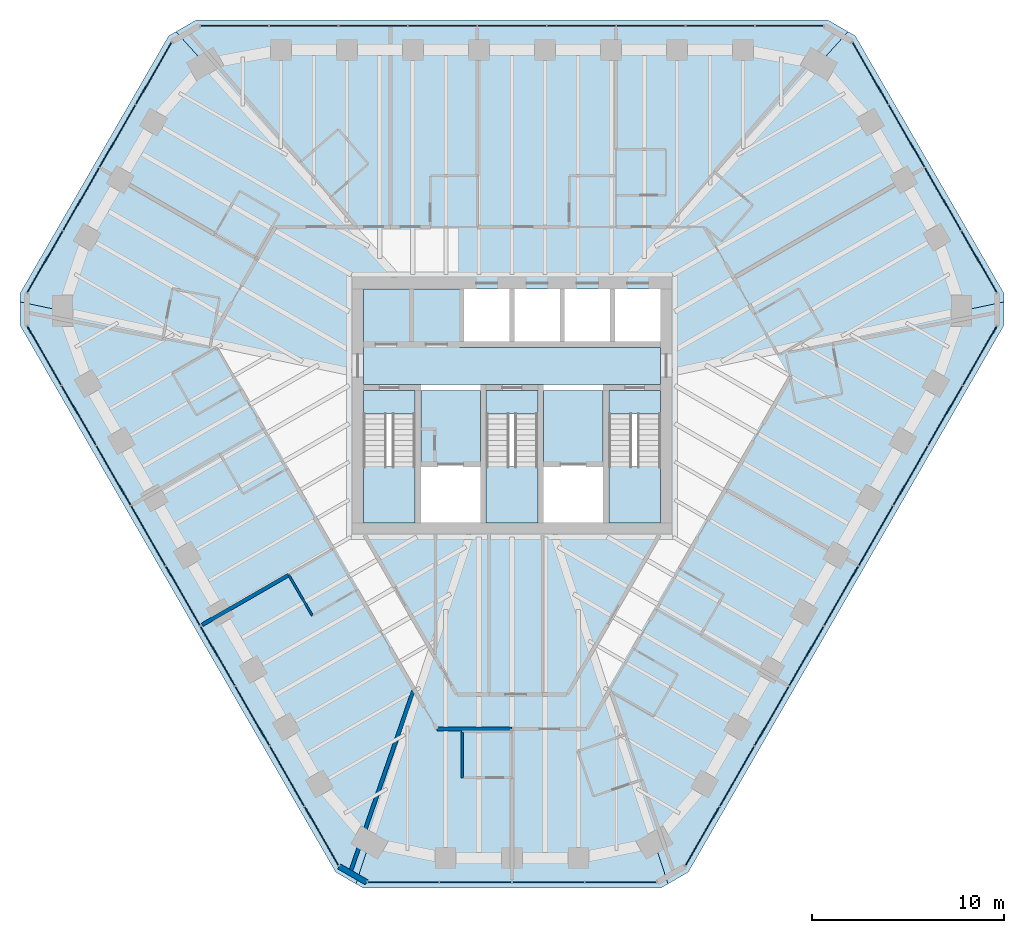
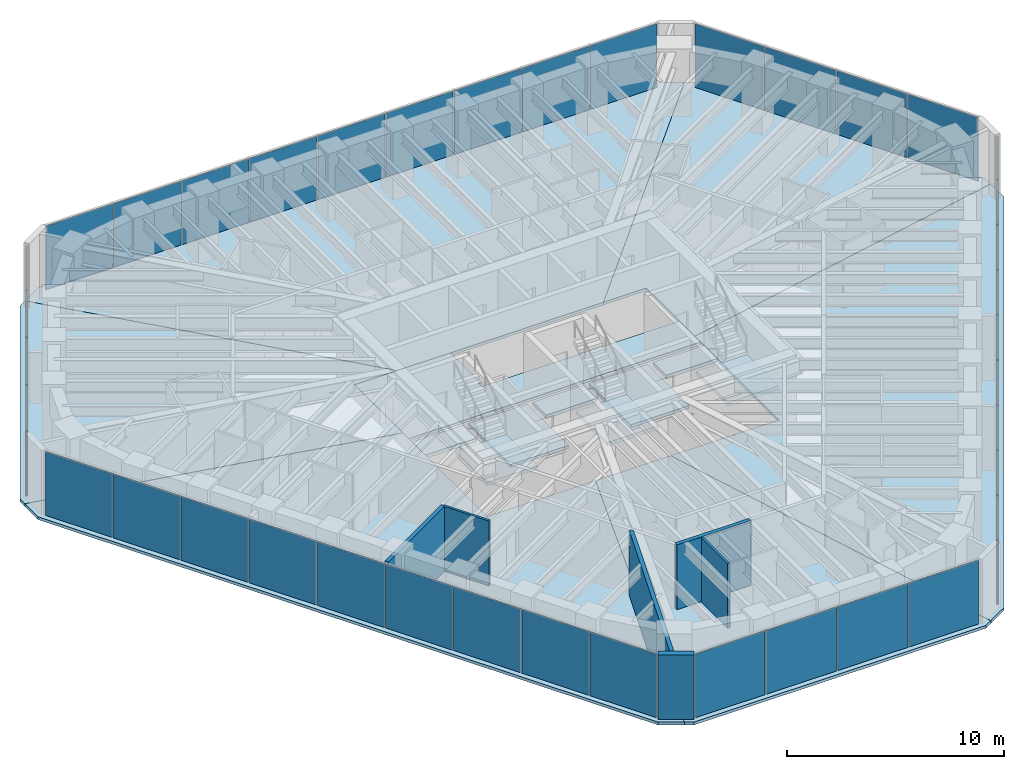
# One storey, part 8 of 14: 39 plates, 15 slabs, 6 walls, 9 elements without a shape of their own.
"""IFC4 building model written with IfcOpenShell, lengths in metres."""

from ifc_helpers import new_model, si_unit, direction, frame, frame_2d, origin, origin_2d, place, context, subcontext, project, spatial, polyline, rectangle, outline, extrude, material, layer, layer_set, type_object, element, aggregate, save


model = new_model("IFC4")

# Units and contexts
model_context = context("Model", 3, precision=1e-05, world=origin(), true_north=direction((0.0, 1.0)))
body_context = subcontext(model_context, "Body", "Model", "MODEL_VIEW")
ifc_project = project(units=[si_unit("LENGTHUNIT", "METRE"), si_unit("AREAUNIT", "SQUARE_METRE"), si_unit("VOLUMEUNIT", "CUBIC_METRE"), si_unit("PLANEANGLEUNIT", "RADIAN"), si_unit("MASSUNIT", "GRAM", prefix="KILO")], contexts=[model_context])

# Site, building, storey
site_placement = place(None, origin())
site = spatial("IfcSite", under=ifc_project, at=site_placement, CompositionType="ELEMENT")
building_placement = place(site_placement, origin())
building = spatial("IfcBuilding", under=site, at=building_placement, Name="Sandreach Pilgrim Tower", CompositionType="ELEMENT")
storey_placement = place(building_placement, frame((0.0, 0.0, 279.800048828125)))
storey = spatial("IfcBuildingStorey", under=building, at=storey_placement, Name="L70", CompositionType="ELEMENT", Elevation=279.800048828125)

# Curtain wall, plates
ifc_material_1 = material(Name="Aluminium framed curtain wall", Category="aluminium")
curtain_wall_type = type_object("IfcCurtainWallType", Name="Suite tower curtain wall", PredefinedType="NOTDEFINED", material=ifc_material_1)
curtain_wall_1_placement = place(storey_placement, origin())
curtain_wall_1 = element("IfcCurtainWall", 1, at=curtain_wall_1_placement, inside=storey, type_object=curtain_wall_type, Name="CW-4 L70 N", PredefinedType="NOTDEFINED")
ifc_material_2 = material(Name="Insulating glass unit 16.76 laminated + 24 argon + 16.76 laminated", Category="glass")
ifc_layer_1 = layer(ifc_material_2, 0.05810546875)
ifc_layer_set_1 = layer_set([ifc_layer_1], Name="CW-4 panel")
plate_type = type_object("IfcPlateType", Name="CW-4 panel", PredefinedType="CURTAIN_PANEL", material=ifc_layer_set_1)
plate_1_placement = place(storey_placement, frame((-14.472412109375, 19.826416015625, 0.0), z_axis=(0.0, 0.0, 1.0), x_axis=(1.0, 0.0, 0.0)))
plate_1 = element("IfcPlate", 2, at=plate_1_placement, type_object=plate_type, Name="CW-4 panel 1", PredefinedType="CURTAIN_PANEL", context=body_context, shape_type="SweptSolid", body=[
    extrude(rectangle(XDim=3.531982421875, YDim=0.05810546875, at=origin_2d()), origin(), (0.0, 0.0, 1.0), 3.570068359375),
])
plate_2_placement = place(storey_placement, frame((-10.865478515625, 19.826416015625, 0.0), z_axis=(0.0, 0.0, 1.0), x_axis=(1.0, 0.0, 0.0)))
plate_2 = element("IfcPlate", 3, at=plate_2_placement, type_object=plate_type, Name="CW-4 panel 2", PredefinedType="CURTAIN_PANEL", context=body_context, shape_type="SweptSolid", body=[
    extrude(rectangle(XDim=3.561767578125, YDim=0.05810546875, at=origin_2d()), origin(), (0.0, 0.0, 1.0), 3.570068359375),
])
plate_3_placement = place(storey_placement, frame((-7.24365234375, 19.826416015625, 0.0), z_axis=(0.0, 0.0, 1.0), x_axis=(1.0, 0.0, 0.0)))
plate_3 = element("IfcPlate", 4, at=plate_3_placement, type_object=plate_type, Name="CW-4 panel 3", PredefinedType="CURTAIN_PANEL", context=body_context, shape_type="SweptSolid", body=[
    extrude(rectangle(XDim=3.561767578125, YDim=0.05810546875, at=origin_2d()), origin(), (0.0, 0.0, 1.0), 3.570068359375),
])
plate_4_placement = place(storey_placement, frame((-3.621826171875, 19.826416015625, 0.0), z_axis=(0.0, 0.0, 1.0), x_axis=(1.0, 0.0, 0.0)))
plate_4 = element("IfcPlate", 5, at=plate_4_placement, type_object=plate_type, Name="CW-4 panel 4", PredefinedType="CURTAIN_PANEL", context=body_context, shape_type="SweptSolid", body=[
    extrude(rectangle(XDim=3.561767578125, YDim=0.05810546875, at=origin_2d()), origin(), (0.0, 0.0, 1.0), 3.570068359375),
])
plate_5_placement = place(storey_placement, frame((0.0, 19.826416015625, 0.0), z_axis=(0.0, 0.0, 1.0), x_axis=(1.0, 0.0, 0.0)))
plate_5 = element("IfcPlate", 6, at=plate_5_placement, type_object=plate_type, Name="CW-4 panel 5", PredefinedType="CURTAIN_PANEL", context=body_context, shape_type="SweptSolid", body=[
    extrude(rectangle(XDim=3.561767578125, YDim=0.05810546875, at=origin_2d()), origin(), (0.0, 0.0, 1.0), 3.570068359375),
])
plate_6_placement = place(storey_placement, frame((3.621826171875, 19.826416015625, 0.0), z_axis=(0.0, 0.0, 1.0), x_axis=(1.0, 0.0, 0.0)))
plate_6 = element("IfcPlate", 7, at=plate_6_placement, type_object=plate_type, Name="CW-4 panel 6", PredefinedType="CURTAIN_PANEL", context=body_context, shape_type="SweptSolid", body=[
    extrude(rectangle(XDim=3.561767578125, YDim=0.05810546875, at=origin_2d()), origin(), (0.0, 0.0, 1.0), 3.570068359375),
])
plate_7_placement = place(storey_placement, frame((7.24365234375, 19.826416015625, 0.0), z_axis=(0.0, 0.0, 1.0), x_axis=(1.0, 0.0, 0.0)))
plate_7 = element("IfcPlate", 8, at=plate_7_placement, type_object=plate_type, Name="CW-4 panel 7", PredefinedType="CURTAIN_PANEL", context=body_context, shape_type="SweptSolid", body=[
    extrude(rectangle(XDim=3.561767578125, YDim=0.05810546875, at=origin_2d()), origin(), (0.0, 0.0, 1.0), 3.570068359375),
])
plate_8_placement = place(storey_placement, frame((10.865478515625, 19.826416015625, 0.0), z_axis=(0.0, 0.0, 1.0), x_axis=(1.0, 0.0, 0.0)))
plate_8 = element("IfcPlate", 9, at=plate_8_placement, type_object=plate_type, Name="CW-4 panel 8", PredefinedType="CURTAIN_PANEL", context=body_context, shape_type="SweptSolid", body=[
    extrude(rectangle(XDim=3.561767578125, YDim=0.05810546875, at=origin_2d()), origin(), (0.0, 0.0, 1.0), 3.570068359375),
])
plate_9_placement = place(storey_placement, frame((14.472412109375, 19.826416015625, 0.0), z_axis=(0.0, 0.0, 1.0), x_axis=(1.0, 0.0, 0.0)))
plate_9 = element("IfcPlate", 10, at=plate_9_placement, type_object=plate_type, Name="CW-4 panel 9", PredefinedType="CURTAIN_PANEL", context=body_context, shape_type="SweptSolid", body=[
    extrude(rectangle(XDim=3.531982421875, YDim=0.05810546875, at=origin_2d()), origin(), (0.0, 0.0, 1.0), 3.570068359375),
])
aggregate(curtain_wall_1, [plate_1, plate_2, plate_3, plate_4, plate_5, plate_6, plate_7, plate_8, plate_9])

curtain_wall_2_placement = place(storey_placement, origin())
curtain_wall_2 = element("IfcCurtainWall", 11, at=curtain_wall_2_placement, inside=storey, type_object=curtain_wall_type, Name="CW-4 L70 NE", PredefinedType="NOTDEFINED")
plate_10_placement = place(storey_placement, frame((18.69140625, 17.341552734375, 0.0), z_axis=(0.0, 0.0, 1.0), x_axis=(0.5, -0.866025403784, 0.0)))
plate_10 = element("IfcPlate", 12, at=plate_10_placement, type_object=plate_type, Name="CW-4 panel 1", PredefinedType="CURTAIN_PANEL", context=body_context, shape_type="SweptSolid", body=[
    extrude(rectangle(XDim=3.70166015625, YDim=0.05810546875, at=origin_2d()), origin(), (0.0, 0.0, 1.0), 3.570068359375),
])
plate_11_placement = place(storey_placement, frame((20.579833984375, 14.07080078125, 0.0), z_axis=(0.0, 0.0, 1.0), x_axis=(0.5, -0.866025403784, 0.0)))
plate_11 = element("IfcPlate", 13, at=plate_11_placement, type_object=plate_type, Name="CW-4 panel 2", PredefinedType="CURTAIN_PANEL", context=body_context, shape_type="SweptSolid", body=[
    extrude(rectangle(XDim=3.731689453125, YDim=0.05810546875, at=origin_2d()), origin(), (0.0, 0.0, 1.0), 3.570068359375),
])
plate_12_placement = place(storey_placement, frame((22.4755859375, 10.787109375, 0.0), z_axis=(0.0, 0.0, 1.0), x_axis=(0.5, -0.866025403784, 0.0)))
plate_12 = element("IfcPlate", 14, at=plate_12_placement, type_object=plate_type, Name="CW-4 panel 3", PredefinedType="CURTAIN_PANEL", context=body_context, shape_type="SweptSolid", body=[
    extrude(rectangle(XDim=3.731689453125, YDim=0.05810546875, at=origin_2d()), origin(), (0.0, 0.0, 1.0), 3.570068359375),
])
plate_13_placement = place(storey_placement, frame((24.364013671875, 7.516357421875, 0.0), z_axis=(0.0, 0.0, 1.0), x_axis=(0.5, -0.866025403784, 0.0)))
plate_13 = element("IfcPlate", 15, at=plate_13_placement, type_object=plate_type, Name="CW-4 panel 4", PredefinedType="CURTAIN_PANEL", context=body_context, shape_type="SweptSolid", body=[
    extrude(rectangle(XDim=3.70166015625, YDim=0.05810546875, at=origin_2d()), origin(), (0.0, 0.0, 1.0), 3.570068359375),
])
aggregate(curtain_wall_2, [plate_10, plate_11, plate_12, plate_13])

curtain_wall_3_placement = place(storey_placement, origin())
curtain_wall_3 = element("IfcCurtainWall", 16, at=curtain_wall_3_placement, inside=storey, type_object=curtain_wall_type, Name="CW-4 L70 SE", PredefinedType="NOTDEFINED")
plate_14_placement = place(storey_placement, frame((24.406494140625, 2.620361328125, 0.0), z_axis=(0.0, 0.0, 1.0), x_axis=(-0.5, -0.866025403784, 0.0)))
plate_14 = element("IfcPlate", 17, at=plate_14_placement, type_object=plate_type, Name="CW-4 panel 1", PredefinedType="CURTAIN_PANEL", context=body_context, shape_type="SweptSolid", body=[
    extrude(rectangle(XDim=3.531982421875, YDim=0.05810546875, at=origin_2d()), origin(), (0.0, 0.0, 1.0), 3.570068359375),
])
plate_15_placement = place(storey_placement, frame((22.60302734375, -0.50341796875, 0.0), z_axis=(0.0, 0.0, 1.0), x_axis=(-0.5, -0.866025403784, 0.0)))
plate_15 = element("IfcPlate", 18, at=plate_15_placement, type_object=plate_type, Name="CW-4 panel 2", PredefinedType="CURTAIN_PANEL", context=body_context, shape_type="SweptSolid", body=[
    extrude(rectangle(XDim=3.561767578125, YDim=0.05810546875, at=origin_2d()), origin(), (0.0, 0.0, 1.0), 3.570068359375),
])
plate_16_placement = place(storey_placement, frame((20.7919921875, -3.639892578125, 0.0), z_axis=(0.0, 0.0, 1.0), x_axis=(-0.5, -0.866025403784, 0.0)))
plate_16 = element("IfcPlate", 19, at=plate_16_placement, type_object=plate_type, Name="CW-4 panel 3", PredefinedType="CURTAIN_PANEL", context=body_context, shape_type="SweptSolid", body=[
    extrude(rectangle(XDim=3.561767578125, YDim=0.05810546875, at=origin_2d()), origin(), (0.0, 0.0, 1.0), 3.570068359375),
])
plate_17_placement = place(storey_placement, frame((18.981201171875, -6.776611328125, 0.0), z_axis=(0.0, 0.0, 1.0), x_axis=(-0.5, -0.866025403784, 0.0)))
plate_17 = element("IfcPlate", 20, at=plate_17_placement, type_object=plate_type, Name="CW-4 panel 4", PredefinedType="CURTAIN_PANEL", context=body_context, shape_type="SweptSolid", body=[
    extrude(rectangle(XDim=3.561767578125, YDim=0.05810546875, at=origin_2d()), origin(), (0.0, 0.0, 1.0), 3.570068359375),
])
plate_18_placement = place(storey_placement, frame((17.170166015625, -9.913330078125, 0.0), z_axis=(0.0, 0.0, 1.0), x_axis=(-0.5, -0.866025403784, 0.0)))
plate_18 = element("IfcPlate", 21, at=plate_18_placement, type_object=plate_type, Name="CW-4 panel 5", PredefinedType="CURTAIN_PANEL", context=body_context, shape_type="SweptSolid", body=[
    extrude(rectangle(XDim=3.561767578125, YDim=0.05810546875, at=origin_2d()), origin(), (0.0, 0.0, 1.0), 3.570068359375),
])
plate_19_placement = place(storey_placement, frame((15.359375, -13.0498046875, 0.0), z_axis=(0.0, 0.0, 1.0), x_axis=(-0.5, -0.866025403784, 0.0)))
plate_19 = element("IfcPlate", 22, at=plate_19_placement, type_object=plate_type, Name="CW-4 panel 6", PredefinedType="CURTAIN_PANEL", context=body_context, shape_type="SweptSolid", body=[
    extrude(rectangle(XDim=3.561767578125, YDim=0.05810546875, at=origin_2d()), origin(), (0.0, 0.0, 1.0), 3.570068359375),
])
plate_20_placement = place(storey_placement, frame((13.54833984375, -16.1865234375, 0.0), z_axis=(0.0, 0.0, 1.0), x_axis=(-0.5, -0.866025403784, 0.0)))
plate_20 = element("IfcPlate", 23, at=plate_20_placement, type_object=plate_type, Name="CW-4 panel 7", PredefinedType="CURTAIN_PANEL", context=body_context, shape_type="SweptSolid", body=[
    extrude(rectangle(XDim=3.561767578125, YDim=0.05810546875, at=origin_2d()), origin(), (0.0, 0.0, 1.0), 3.570068359375),
])
plate_21_placement = place(storey_placement, frame((11.7373046875, -19.322998046875, 0.0), z_axis=(0.0, 0.0, 1.0), x_axis=(-0.5, -0.866025403784, 0.0)))
plate_21 = element("IfcPlate", 24, at=plate_21_placement, type_object=plate_type, Name="CW-4 panel 8", PredefinedType="CURTAIN_PANEL", context=body_context, shape_type="SweptSolid", body=[
    extrude(rectangle(XDim=3.561767578125, YDim=0.05810546875, at=origin_2d()), origin(), (0.0, 0.0, 1.0), 3.570068359375),
])
plate_22_placement = place(storey_placement, frame((9.93408203125, -22.44677734375, 0.0), z_axis=(0.0, 0.0, 1.0), x_axis=(-0.5, -0.866025403784, 0.0)))
plate_22 = element("IfcPlate", 25, at=plate_22_placement, type_object=plate_type, Name="CW-4 panel 9", PredefinedType="CURTAIN_PANEL", context=body_context, shape_type="SweptSolid", body=[
    extrude(rectangle(XDim=3.531982421875, YDim=0.05810546875, at=origin_2d()), origin(), (0.0, 0.0, 1.0), 3.570068359375),
])
aggregate(curtain_wall_3, [plate_14, plate_15, plate_16, plate_17, plate_18, plate_19, plate_20, plate_21, plate_22])

curtain_wall_4_placement = place(storey_placement, origin())
curtain_wall_4 = element("IfcCurtainWall", 26, at=curtain_wall_4_placement, inside=storey, type_object=curtain_wall_type, Name="CW-4 L70 S", PredefinedType="NOTDEFINED")
plate_23_placement = place(storey_placement, frame((5.672607421875, -24.858154296875, 0.0), z_axis=(0.0, 0.0, 1.0), x_axis=(-1.0, 0.0, 0.0)))
plate_23 = element("IfcPlate", 27, at=plate_23_placement, type_object=plate_type, Name="CW-4 panel 1", PredefinedType="CURTAIN_PANEL", context=body_context, shape_type="SweptSolid", body=[
    extrude(rectangle(XDim=3.70166015625, YDim=0.05810546875, at=origin_2d()), origin(), (0.0, 0.0, 1.0), 3.570068359375),
])
plate_24_placement = place(storey_placement, frame((1.895751953125, -24.858154296875, 0.0), z_axis=(0.0, 0.0, 1.0), x_axis=(-1.0, 0.0, 0.0)))
plate_24 = element("IfcPlate", 28, at=plate_24_placement, type_object=plate_type, Name="CW-4 panel 2", PredefinedType="CURTAIN_PANEL", context=body_context, shape_type="SweptSolid", body=[
    extrude(rectangle(XDim=3.731689453125, YDim=0.05810546875, at=origin_2d()), origin(), (0.0, 0.0, 1.0), 3.570068359375),
])
plate_25_placement = place(storey_placement, frame((-1.895751953125, -24.858154296875, 0.0), z_axis=(0.0, 0.0, 1.0), x_axis=(-1.0, 0.0, 0.0)))
plate_25 = element("IfcPlate", 29, at=plate_25_placement, type_object=plate_type, Name="CW-4 panel 3", PredefinedType="CURTAIN_PANEL", context=body_context, shape_type="SweptSolid", body=[
    extrude(rectangle(XDim=3.731689453125, YDim=0.05810546875, at=origin_2d()), origin(), (0.0, 0.0, 1.0), 3.570068359375),
])
plate_26_placement = place(storey_placement, frame((-5.672607421875, -24.858154296875, 0.0), z_axis=(0.0, 0.0, 1.0), x_axis=(-1.0, 0.0, 0.0)))
plate_26 = element("IfcPlate", 30, at=plate_26_placement, type_object=plate_type, Name="CW-4 panel 4", PredefinedType="CURTAIN_PANEL", context=body_context, shape_type="SweptSolid", body=[
    extrude(rectangle(XDim=3.70166015625, YDim=0.05810546875, at=origin_2d()), origin(), (0.0, 0.0, 1.0), 3.570068359375),
])
aggregate(curtain_wall_4, [plate_23, plate_24, plate_25, plate_26])

curtain_wall_5_placement = place(storey_placement, origin())
curtain_wall_5 = element("IfcCurtainWall", 31, at=curtain_wall_5_placement, inside=storey, type_object=curtain_wall_type, Name="CW-4 L70 SW", PredefinedType="NOTDEFINED")
plate_27_placement = place(storey_placement, frame((-9.93408203125, -22.44677734375, 0.0), z_axis=(0.0, 0.0, 1.0), x_axis=(-0.5, 0.866025403784, 0.0)))
plate_27 = element("IfcPlate", 32, at=plate_27_placement, type_object=plate_type, Name="CW-4 panel 1", PredefinedType="CURTAIN_PANEL", context=body_context, shape_type="SweptSolid", body=[
    extrude(rectangle(XDim=3.531982421875, YDim=0.05810546875, at=origin_2d()), origin(), (0.0, 0.0, 1.0), 3.570068359375),
])
plate_28_placement = place(storey_placement, frame((-11.7373046875, -19.322998046875, 0.0), z_axis=(0.0, 0.0, 1.0), x_axis=(-0.5, 0.866025403784, 0.0)))
plate_28 = element("IfcPlate", 33, at=plate_28_placement, type_object=plate_type, Name="CW-4 panel 2", PredefinedType="CURTAIN_PANEL", context=body_context, shape_type="SweptSolid", body=[
    extrude(rectangle(XDim=3.561767578125, YDim=0.05810546875, at=origin_2d()), origin(), (0.0, 0.0, 1.0), 3.570068359375),
])
plate_29_placement = place(storey_placement, frame((-13.54833984375, -16.1865234375, 0.0), z_axis=(0.0, 0.0, 1.0), x_axis=(-0.5, 0.866025403784, 0.0)))
plate_29 = element("IfcPlate", 34, at=plate_29_placement, type_object=plate_type, Name="CW-4 panel 3", PredefinedType="CURTAIN_PANEL", context=body_context, shape_type="SweptSolid", body=[
    extrude(rectangle(XDim=3.561767578125, YDim=0.05810546875, at=origin_2d()), origin(), (0.0, 0.0, 1.0), 3.570068359375),
])
plate_30_placement = place(storey_placement, frame((-15.359375, -13.0498046875, 0.0), z_axis=(0.0, 0.0, 1.0), x_axis=(-0.5, 0.866025403784, 0.0)))
plate_30 = element("IfcPlate", 35, at=plate_30_placement, type_object=plate_type, Name="CW-4 panel 4", PredefinedType="CURTAIN_PANEL", context=body_context, shape_type="SweptSolid", body=[
    extrude(rectangle(XDim=3.561767578125, YDim=0.05810546875, at=origin_2d()), origin(), (0.0, 0.0, 1.0), 3.570068359375),
])
plate_31_placement = place(storey_placement, frame((-17.170166015625, -9.913330078125, 0.0), z_axis=(0.0, 0.0, 1.0), x_axis=(-0.5, 0.866025403784, 0.0)))
plate_31 = element("IfcPlate", 36, at=plate_31_placement, type_object=plate_type, Name="CW-4 panel 5", PredefinedType="CURTAIN_PANEL", context=body_context, shape_type="SweptSolid", body=[
    extrude(rectangle(XDim=3.561767578125, YDim=0.05810546875, at=origin_2d()), origin(), (0.0, 0.0, 1.0), 3.570068359375),
])
plate_32_placement = place(storey_placement, frame((-18.981201171875, -6.776611328125, 0.0), z_axis=(0.0, 0.0, 1.0), x_axis=(-0.5, 0.866025403784, 0.0)))
plate_32 = element("IfcPlate", 37, at=plate_32_placement, type_object=plate_type, Name="CW-4 panel 6", PredefinedType="CURTAIN_PANEL", context=body_context, shape_type="SweptSolid", body=[
    extrude(rectangle(XDim=3.561767578125, YDim=0.05810546875, at=origin_2d()), origin(), (0.0, 0.0, 1.0), 3.570068359375),
])
plate_33_placement = place(storey_placement, frame((-20.7919921875, -3.639892578125, 0.0), z_axis=(0.0, 0.0, 1.0), x_axis=(-0.5, 0.866025403784, 0.0)))
plate_33 = element("IfcPlate", 38, at=plate_33_placement, type_object=plate_type, Name="CW-4 panel 7", PredefinedType="CURTAIN_PANEL", context=body_context, shape_type="SweptSolid", body=[
    extrude(rectangle(XDim=3.561767578125, YDim=0.05810546875, at=origin_2d()), origin(), (0.0, 0.0, 1.0), 3.570068359375),
])
plate_34_placement = place(storey_placement, frame((-22.60302734375, -0.50341796875, 0.0), z_axis=(0.0, 0.0, 1.0), x_axis=(-0.5, 0.866025403784, 0.0)))
plate_34 = element("IfcPlate", 39, at=plate_34_placement, type_object=plate_type, Name="CW-4 panel 8", PredefinedType="CURTAIN_PANEL", context=body_context, shape_type="SweptSolid", body=[
    extrude(rectangle(XDim=3.561767578125, YDim=0.05810546875, at=origin_2d()), origin(), (0.0, 0.0, 1.0), 3.570068359375),
])
plate_35_placement = place(storey_placement, frame((-24.406494140625, 2.620361328125, 0.0), z_axis=(0.0, 0.0, 1.0), x_axis=(-0.5, 0.866025403784, 0.0)))
plate_35 = element("IfcPlate", 40, at=plate_35_placement, type_object=plate_type, Name="CW-4 panel 9", PredefinedType="CURTAIN_PANEL", context=body_context, shape_type="SweptSolid", body=[
    extrude(rectangle(XDim=3.531982421875, YDim=0.05810546875, at=origin_2d()), origin(), (0.0, 0.0, 1.0), 3.570068359375),
])
aggregate(curtain_wall_5, [plate_27, plate_28, plate_29, plate_30, plate_31, plate_32, plate_33, plate_34, plate_35])

curtain_wall_6_placement = place(storey_placement, origin())
curtain_wall_6 = element("IfcCurtainWall", 41, at=curtain_wall_6_placement, inside=storey, type_object=curtain_wall_type, Name="CW-4 L70 NW", PredefinedType="NOTDEFINED")
plate_36_placement = place(storey_placement, frame((-24.364013671875, 7.516357421875, 0.0), z_axis=(0.0, 0.0, 1.0), x_axis=(0.5, 0.866025403784, 0.0)))
plate_36 = element("IfcPlate", 42, at=plate_36_placement, type_object=plate_type, Name="CW-4 panel 1", PredefinedType="CURTAIN_PANEL", context=body_context, shape_type="SweptSolid", body=[
    extrude(rectangle(XDim=3.70166015625, YDim=0.05810546875, at=origin_2d()), origin(), (0.0, 0.0, 1.0), 3.570068359375),
])
plate_37_placement = place(storey_placement, frame((-22.4755859375, 10.787109375, 0.0), z_axis=(0.0, 0.0, 1.0), x_axis=(0.5, 0.866025403784, 0.0)))
plate_37 = element("IfcPlate", 43, at=plate_37_placement, type_object=plate_type, Name="CW-4 panel 2", PredefinedType="CURTAIN_PANEL", context=body_context, shape_type="SweptSolid", body=[
    extrude(rectangle(XDim=3.731689453125, YDim=0.05810546875, at=origin_2d()), origin(), (0.0, 0.0, 1.0), 3.570068359375),
])
plate_38_placement = place(storey_placement, frame((-20.579833984375, 14.07080078125, 0.0), z_axis=(0.0, 0.0, 1.0), x_axis=(0.5, 0.866025403784, 0.0)))
plate_38 = element("IfcPlate", 44, at=plate_38_placement, type_object=plate_type, Name="CW-4 panel 3", PredefinedType="CURTAIN_PANEL", context=body_context, shape_type="SweptSolid", body=[
    extrude(rectangle(XDim=3.731689453125, YDim=0.05810546875, at=origin_2d()), origin(), (0.0, 0.0, 1.0), 3.570068359375),
])
plate_39_placement = place(storey_placement, frame((-18.69140625, 17.341552734375, 0.0), z_axis=(0.0, 0.0, 1.0), x_axis=(0.5, 0.866025403784, 0.0)))
plate_39 = element("IfcPlate", 45, at=plate_39_placement, type_object=plate_type, Name="CW-4 panel 4", PredefinedType="CURTAIN_PANEL", context=body_context, shape_type="SweptSolid", body=[
    extrude(rectangle(XDim=3.70166015625, YDim=0.05810546875, at=origin_2d()), origin(), (0.0, 0.0, 1.0), 3.570068359375),
])
aggregate(curtain_wall_6, [plate_36, plate_37, plate_38, plate_39])

# Slabs
ifc_material_3 = material(Name="Concrete 8000 psi", Category="concrete")
ifc_layer_2 = layer(ifc_material_3, 0.159912109375)
ifc_layer_set_2 = layer_set([ifc_layer_2], Name="Composite floor slab 160")
slab_type_1 = type_object("IfcSlabType", Name="Composite floor slab 160", PredefinedType="FLOOR", material=ifc_layer_set_2)
slab_1_placement = place(storey_placement, frame((0.0, 0.0, -0.16015625)))
element("IfcSlab", 46, at=slab_1_placement, inside=storey, type_object=slab_type_1, Name="Floor slab L70 N sector", PredefinedType="FLOOR", context=body_context, shape_type="SweptSolid", body=[
    extrude(outline(polyline([(-16.4716796875, 20.12646484375), (16.4716796875, 20.12646484375), (17.52587890625, 19.517822265625), (5.477294921875, 6.10009765625), (-5.477294921875, 6.10009765625), (-17.52587890625, 19.517822265625), (-16.4716796875, 20.12646484375)])), origin(), (0.0, 0.0, 1.0), 0.16015625),
])
slab_2_placement = place(storey_placement, frame((0.0, 0.0, -0.16015625)))
element("IfcSlab", 47, at=slab_2_placement, inside=storey, type_object=slab_type_1, Name="Floor slab L70 NE sector", PredefinedType="FLOOR", context=body_context, shape_type="SweptSolid", body=[
    extrude(outline(polyline([(17.9091796875, 19.29638671875), (25.665771484375, 5.861572265625), (25.665771484375, 5.4189453125), (7.75, 1.63623046875), (7.75, 6.10009765625), (5.477294921875, 6.10009765625), (17.52587890625, 19.517822265625), (17.9091796875, 19.29638671875)])), origin(), (0.0, 0.0, 1.0), 0.16015625),
])
slab_3_placement = place(storey_placement, frame((0.0, 0.0, -0.16015625)))
element("IfcSlab", 48, at=slab_3_placement, inside=storey, type_object=slab_type_1, Name="Floor slab L70 SE sector", PredefinedType="FLOOR", context=body_context, shape_type="SweptSolid", body=[
    extrude(outline(polyline([(25.665771484375, 4.20166015625), (9.194091796875, -24.327880859375), (8.139892578125, -24.936767578125), (1.9912109375, -6.10009765625), (7.75, -6.10009765625), (7.75, 1.63623046875), (25.665771484375, 5.4189453125), (25.665771484375, 4.20166015625)])), origin(), (0.0, 0.0, 1.0), 0.16015625),
])
slab_4_placement = place(storey_placement, frame((0.0, 0.0, -0.16015625)))
element("IfcSlab", 49, at=slab_4_placement, inside=storey, type_object=slab_type_1, Name="Floor slab L70 S sector", PredefinedType="FLOOR", context=body_context, shape_type="SweptSolid", body=[
    extrude(outline(polyline([(7.756591796875, -25.157958984375), (-7.756591796875, -25.157958984375), (-8.139892578125, -24.936767578125), (-1.9912109375, -6.10009765625), (1.9912109375, -6.10009765625), (8.139892578125, -24.936767578125), (7.756591796875, -25.157958984375)])), origin(), (0.0, 0.0, 1.0), 0.16015625),
])
slab_5_placement = place(storey_placement, frame((0.0, 0.0, -0.16015625)))
element("IfcSlab", 50, at=slab_5_placement, inside=storey, type_object=slab_type_1, Name="Floor slab L70 SW sector", PredefinedType="FLOOR", context=body_context, shape_type="SweptSolid", body=[
    extrude(outline(polyline([(-9.194091796875, -24.327880859375), (-25.665771484375, 4.20166015625), (-25.665771484375, 5.4189453125), (-7.75, 1.63623046875), (-7.75, -6.10009765625), (-1.9912109375, -6.10009765625), (-8.139892578125, -24.936767578125), (-9.194091796875, -24.327880859375)])), origin(), (0.0, 0.0, 1.0), 0.16015625),
])
slab_6_placement = place(storey_placement, frame((0.0, 0.0, -0.16015625)))
element("IfcSlab", 51, at=slab_6_placement, inside=storey, type_object=slab_type_1, Name="Floor slab L70 NW sector", PredefinedType="FLOOR", context=body_context, shape_type="SweptSolid", body=[
    extrude(outline(polyline([(-25.665771484375, 5.861572265625), (-17.9091796875, 19.29638671875), (-17.52587890625, 19.517822265625), (-5.477294921875, 6.10009765625), (-7.75, 6.10009765625), (-7.75, 1.63623046875), (-25.665771484375, 5.4189453125), (-25.665771484375, 5.861572265625)])), origin(), (0.0, 0.0, 1.0), 0.16015625),
])
slab_7_placement = place(storey_placement, frame((0.0, 0.0, -0.16015625)))
element("IfcSlab", 52, at=slab_7_placement, inside=storey, type_object=slab_type_1, Name="Core floor slab and stores L70", PredefinedType="FLOOR", context=body_context, shape_type="SweptSolid", body=[
    extrude(outline(polyline([(-2.75, 3.35009765625), (-2.75, 3.050048828125), (-0.125, 3.050048828125), (0.125, 3.050048828125), (2.5, 3.050048828125), (2.75, 3.050048828125), (5.125, 3.050048828125), (5.375, 3.050048828125), (7.75, 3.050048828125), (7.75, 1.10009765625), (5.050048828125, 1.10009765625), (4.75, 1.10009765625), (1.64990234375, 1.10009765625), (1.35009765625, 1.10009765625), (-1.35009765625, 1.10009765625), (-1.64990234375, 1.10009765625), (-4.75, 1.10009765625), (-5.050048828125, 1.10009765625), (-7.75, 1.10009765625), (-7.75, 6.10009765625), (-2.64990234375, 6.10009765625), (-2.64990234375, 3.35009765625), (-2.75, 3.35009765625)])), origin(), (0.0, 0.0, 1.0), 0.16015625),
])
slab_8_placement = place(storey_placement, frame((0.0, 0.0, -0.16015625)))
element("IfcSlab", 53, at=slab_8_placement, inside=storey, type_object=slab_type_1, Name="Core floor slab and stores L70 2", PredefinedType="FLOOR", context=body_context, shape_type="SweptSolid", body=[
    extrude(outline(polyline([(-1.64990234375, -3.050048828125), (-4.75, -3.050048828125), (-4.75, 0.800048828125), (-1.64990234375, 0.800048828125), (-1.64990234375, -3.050048828125)])), origin(), (0.0, 0.0, 1.0), 0.16015625),
])
slab_9_placement = place(storey_placement, frame((0.0, 0.0, -0.16015625)))
element("IfcSlab", 54, at=slab_9_placement, inside=storey, type_object=slab_type_1, Name="Core floor slab and stores L70 3", PredefinedType="FLOOR", context=body_context, shape_type="SweptSolid", body=[
    extrude(outline(polyline([(4.75, -3.050048828125), (1.64990234375, -3.050048828125), (1.64990234375, 0.800048828125), (4.75, 0.800048828125), (4.75, -3.050048828125)])), origin(), (0.0, 0.0, 1.0), 0.16015625),
])

# Stair, slabs
ifc_material_4 = material(Name="Concrete 8000 psi", Category="concrete")
stair_type = type_object("IfcStairType", Name="Core exit stair", PredefinedType="HALF_TURN_STAIR", material=ifc_material_4)
stair_1_placement = place(storey_placement, origin())
stair_1 = element("IfcStair", 55, at=stair_1_placement, inside=storey, type_object=stair_type, Name="Exit stair ST1 L70", PredefinedType="HALF_TURN_STAIR")
ifc_material_5 = material(Name="Concrete 8000 psi", Category="concrete")
ifc_layer_3 = layer(ifc_material_5, 0.199951171875)
ifc_layer_set_3 = layer_set([ifc_layer_3], Name="Core stair landing 200")
slab_type_2 = type_object("IfcSlabType", Name="Core stair landing 200", PredefinedType="LANDING", material=ifc_layer_set_3)
slab_10_placement = place(storey_placement, frame((0.0, 0.0, -0.199951171875)))
slab_10 = element("IfcSlab", 56, at=slab_10_placement, type_object=slab_type_2, Name="ST1 landing 1", PredefinedType="LANDING", context=body_context, shape_type="SweptSolid", body=[
    extrude(outline(polyline([(-7.75, -0.425048828125), (-5.050048828125, -0.425048828125), (-5.050048828125, 0.800048828125), (-7.75, 0.800048828125), (-7.75, -0.425048828125)])), origin(), (0.0, 0.0, 1.0), 0.199951171875),
])
slab_11_placement = place(storey_placement, frame((0.0, 0.0, 1.699951171875)))
slab_11 = element("IfcSlab", 57, at=slab_11_placement, type_object=slab_type_2, Name="ST1 landing 2", PredefinedType="LANDING", context=body_context, shape_type="SweptSolid", body=[
    extrude(outline(polyline([(-7.75, -6.10009765625), (-5.050048828125, -6.10009765625), (-5.050048828125, -3.175048828125), (-7.75, -3.175048828125), (-7.75, -6.10009765625)])), origin(), (0.0, 0.0, 1.0), 0.199951171875),
])
aggregate(stair_1, [slab_10, slab_11])

stair_2_placement = place(storey_placement, origin())
stair_2 = element("IfcStair", 58, at=stair_2_placement, inside=storey, type_object=stair_type, Name="Exit stair ST3 L70", PredefinedType="HALF_TURN_STAIR")
slab_12_placement = place(storey_placement, frame((0.0, 0.0, -0.199951171875)))
slab_12 = element("IfcSlab", 59, at=slab_12_placement, type_object=slab_type_2, Name="ST3 landing 1", PredefinedType="LANDING", context=body_context, shape_type="SweptSolid", body=[
    extrude(outline(polyline([(-1.35009765625, -0.425048828125), (1.35009765625, -0.425048828125), (1.35009765625, 0.800048828125), (-1.35009765625, 0.800048828125), (-1.35009765625, -0.425048828125)])), origin(), (0.0, 0.0, 1.0), 0.199951171875),
])
slab_13_placement = place(storey_placement, frame((0.0, 0.0, 1.699951171875)))
slab_13 = element("IfcSlab", 60, at=slab_13_placement, type_object=slab_type_2, Name="ST3 landing 2", PredefinedType="LANDING", context=body_context, shape_type="SweptSolid", body=[
    extrude(outline(polyline([(-1.35009765625, -6.10009765625), (1.35009765625, -6.10009765625), (1.35009765625, -3.175048828125), (-1.35009765625, -3.175048828125), (-1.35009765625, -6.10009765625)])), origin(), (0.0, 0.0, 1.0), 0.199951171875),
])
aggregate(stair_2, [slab_12, slab_13])

stair_3_placement = place(storey_placement, origin())
stair_3 = element("IfcStair", 61, at=stair_3_placement, inside=storey, type_object=stair_type, Name="Exit stair ST2 L70", PredefinedType="HALF_TURN_STAIR")
slab_14_placement = place(storey_placement, frame((0.0, 0.0, -0.199951171875)))
slab_14 = element("IfcSlab", 62, at=slab_14_placement, type_object=slab_type_2, Name="ST2 landing 1", PredefinedType="LANDING", context=body_context, shape_type="SweptSolid", body=[
    extrude(outline(polyline([(5.050048828125, -0.425048828125), (7.75, -0.425048828125), (7.75, 0.800048828125), (5.050048828125, 0.800048828125), (5.050048828125, -0.425048828125)])), origin(), (0.0, 0.0, 1.0), 0.199951171875),
])
slab_15_placement = place(storey_placement, frame((0.0, 0.0, 1.699951171875)))
slab_15 = element("IfcSlab", 63, at=slab_15_placement, type_object=slab_type_2, Name="ST2 landing 2", PredefinedType="LANDING", context=body_context, shape_type="SweptSolid", body=[
    extrude(outline(polyline([(5.050048828125, -6.10009765625), (7.75, -6.10009765625), (7.75, -3.175048828125), (5.050048828125, -3.175048828125), (5.050048828125, -6.10009765625)])), origin(), (0.0, 0.0, 1.0), 0.199951171875),
])
aggregate(stair_3, [slab_14, slab_15])

# Walls
ifc_material_6 = material(Name="Moisture-resistant gypsum board on steel studs", Category="steel")
ifc_layer_4 = layer(ifc_material_6, 0.1201171875)
ifc_layer_set_4 = layer_set([ifc_layer_4], Name="Bathroom partition 120")
wall_type_1 = type_object("IfcWallType", Name="Bathroom partition 120", PredefinedType="PARTITIONING", material=ifc_layer_set_4)
wall_1_placement = place(storey_placement, frame((-11.64990234375, -8.820068359375, 0.0), z_axis=(0.0, 0.0, 1.0), x_axis=(0.501856726365, -0.86495076519, 0.0)))
element("IfcWall", 64, at=wall_1_placement, inside=storey, type_object=wall_type_1, Name="Bathroom partition L70-030", PredefinedType="PARTITIONING", context=body_context, shape_type="SweptSolid", body=[
    extrude(rectangle(XDim=2.450927734375, YDim=0.1201171875, at=frame_2d((1.2255859375, 0.0))), origin(), (0.0, 0.0, 1.0), 3.639892578125),
])
wall_2_placement = place(storey_placement, frame((-2.60009765625, -17.010009765625, 0.0), z_axis=(0.0, 0.0, 1.0), x_axis=(0.0, -1.0, 0.0)))
element("IfcWall", 65, at=wall_2_placement, inside=storey, type_object=wall_type_1, Name="Bathroom partition L70-053", PredefinedType="PARTITIONING", context=body_context, shape_type="SweptSolid", body=[
    extrude(rectangle(XDim=2.39990234375, YDim=0.1201171875, at=frame_2d((1.199951171875, 0.0))), origin(), (0.0, 0.0, 1.0), 3.639892578125),
])
ifc_material_7 = material(Name="Gypsum board on steel studs, two layers each side", Category="steel")
ifc_layer_5 = layer(ifc_material_7, 0.199951171875)
ifc_layer_set_5 = layer_set([ifc_layer_5], Name="Corridor wall 200")
wall_type_2 = type_object("IfcWallType", Name="Corridor wall 200", PredefinedType="PARTITIONING", material=ifc_layer_set_5)
wall_3_placement = place(storey_placement, frame((-3.919921875, -16.860107421875, 0.0), z_axis=(0.0, 0.0, 1.0), x_axis=(1.0, 0.0, 0.0)))
element("IfcWall", 66, at=wall_3_placement, inside=storey, type_object=wall_type_2, Name="Corridor wall L70-050", PredefinedType="PARTITIONING", context=body_context, shape_type="SweptSolid", body=[
    extrude(rectangle(XDim=3.919921875, YDim=0.199951171875, at=frame_2d((1.9599609375, 0.0))), origin(), (0.0, 0.0, 1.0), 3.639892578125),
])
ifc_material_8 = material(Name="Double steel stud acoustic wall, gypsum board", Category="steel")
ifc_layer_6 = layer(ifc_material_8, 0.199951171875)
ifc_layer_set_6 = layer_set([ifc_layer_6], Name="Party wall 200")
wall_type_3 = type_object("IfcWallType", Name="Party wall 200", PredefinedType="PARTITIONING", material=ifc_layer_set_6)
wall_4_placement = place(storey_placement, frame((-16.156005859375, -11.419921875, 0.0), z_axis=(0.0, 0.0, 1.0), x_axis=(0.866170741273, 0.499748183552, 0.0)))
element("IfcWall", 67, at=wall_4_placement, inside=storey, type_object=wall_type_3, Name="Party wall L70-009", PredefinedType="PARTITIONING", context=body_context, shape_type="SweptSolid", body=[
    extrude(rectangle(XDim=5.202392578125, YDim=0.199951171875, at=frame_2d((2.60107421875, 0.0))), origin(), (0.0, 0.0, 1.0), 3.639892578125),
])
wall_5_placement = place(storey_placement, frame((-8.4501953125, -24.381591796875, 0.0), z_axis=(0.0, 0.0, 1.0), x_axis=(0.327695764917, 0.944783300898, 0.0)))
element("IfcWall", 68, at=wall_5_placement, inside=storey, type_object=wall_type_3, Name="Party wall L70-038", PredefinedType="PARTITIONING", context=body_context, shape_type="SweptSolid", body=[
    extrude(rectangle(XDim=10.057861328125, YDim=0.199951171875, at=frame_2d((5.02880859375, 0.0))), origin(), (0.0, 0.0, 1.0), 3.639892578125),
])
ifc_material_9 = material(Name="Terracotta rainscreen on concrete", Category="masonry")
ifc_layer_7 = layer(ifc_material_9, 0.300048828125)
ifc_layer_set_7 = layer_set([ifc_layer_7], Name="Terracotta chamfer pier")
wall_type_4 = type_object("IfcWallType", Name="Terracotta chamfer pier", PredefinedType="SOLIDWALL", material=ifc_layer_set_7)
wall_6_placement = place(storey_placement, frame((-7.58349609375, -24.858154296875, 0.0), z_axis=(0.0, 0.0, 1.0), x_axis=(-0.865989634427, 0.500061949227, 0.0)))
element("IfcWall", 69, at=wall_6_placement, inside=storey, type_object=wall_type_4, Name="Chamfer pier L70 S", PredefinedType="SOLIDWALL", context=body_context, shape_type="SweptSolid", body=[
    extrude(rectangle(XDim=1.659912109375, YDim=0.300048828125, at=frame_2d((0.830078125, 0.0))), origin(), (0.0, 0.0, 1.0), 3.639892578125),
])

save(model, "model.ifc")
